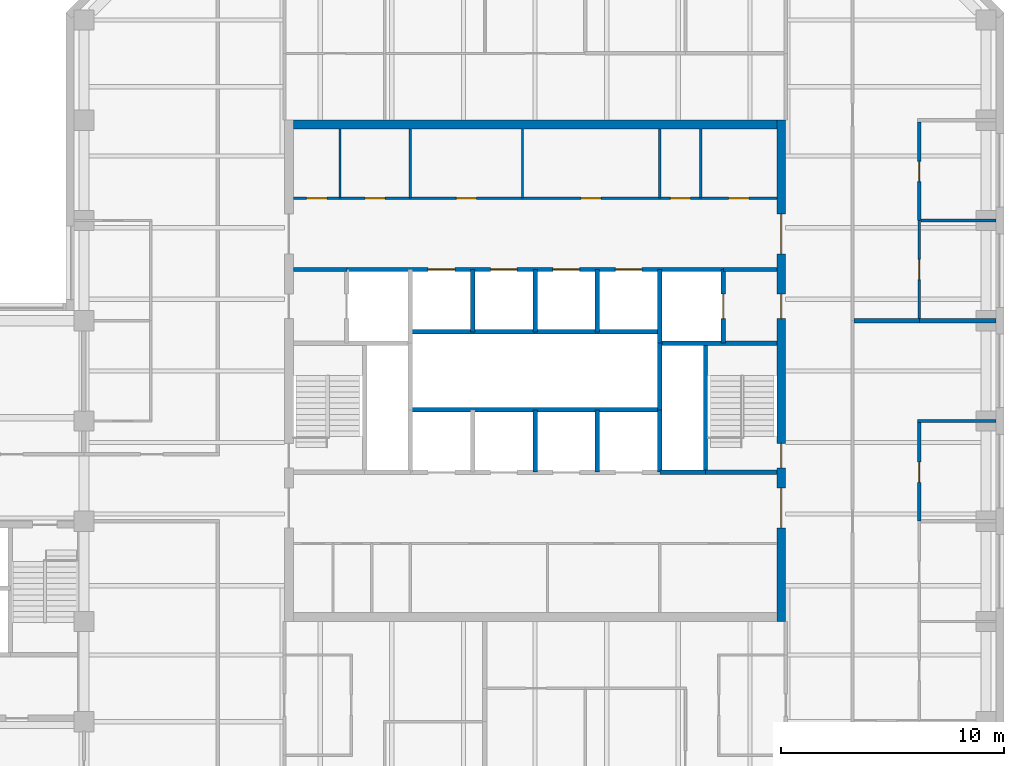
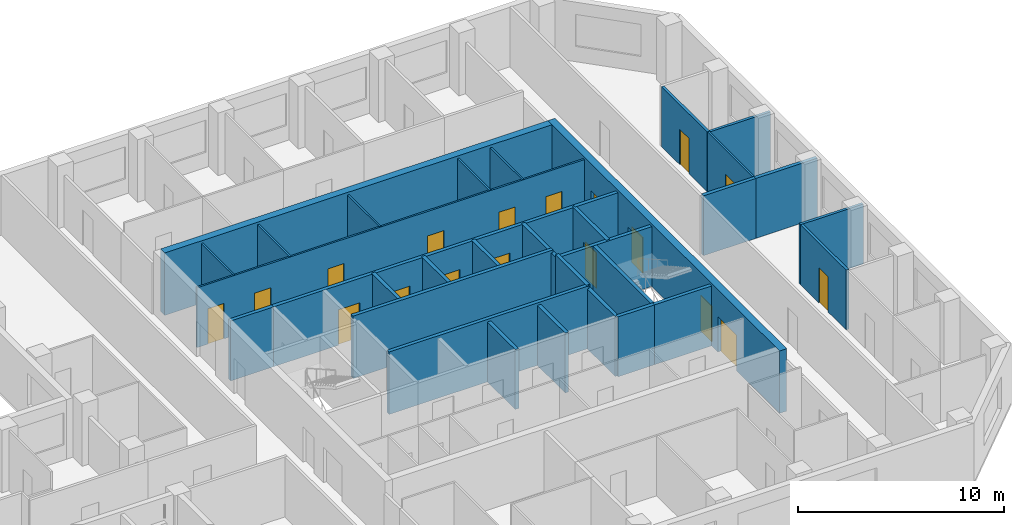
# One storey, part 6 of 9: 33 walls, 18 doors, 18 openings.
"""IFC4 building model written with IfcOpenShell, lengths in metres."""

from ifc_helpers import new_model, si_unit, direction, frame, frame_2d, origin, place, context, subcontext, project, spatial, rectangle, extrude, material, layer, layer_set, type_object, element, fill, save


model = new_model("IFC4")

# Units and contexts
model_context = context("Model", 3, precision=1e-05, world=origin(), true_north=direction((0.0, 1.0)))
body_context = subcontext(model_context, "Body", "Model", "MODEL_VIEW")
ifc_project = project(units=[si_unit("LENGTHUNIT", "METRE"), si_unit("AREAUNIT", "SQUARE_METRE"), si_unit("VOLUMEUNIT", "CUBIC_METRE"), si_unit("PLANEANGLEUNIT", "RADIAN"), si_unit("MASSUNIT", "GRAM", prefix="KILO")], contexts=[model_context])

# Site, building, storey
site_placement = place(None, origin())
site = spatial("IfcSite", under=ifc_project, at=site_placement, CompositionType="ELEMENT")
building_placement = place(site_placement, origin())
building = spatial("IfcBuilding", under=site, at=building_placement, Name="Quoin Convention Tower", CompositionType="ELEMENT")
storey_placement = place(building_placement, frame((0.0, 0.0, 241.5)))
storey = spatial("IfcBuildingStorey", under=building, at=storey_placement, Name="L63", CompositionType="ELEMENT", Elevation=241.5)

# Walls
ifc_material_1 = material(Name="Plasterboard")
ifc_layer_1 = layer(ifc_material_1, 0.012451171875, Name="Finish")
ifc_material_2 = material(Name="Steel stud framing", Category="steel")
ifc_layer_2 = layer(ifc_material_2, 0.125, Name="Structure")
ifc_layer_3 = layer(ifc_material_1, 0.012451171875, Name="Finish")
ifc_layer_set_1 = layer_set([ifc_layer_1, ifc_layer_2, ifc_layer_3], Name="Steel stud framing")
wall_type_1 = type_object("IfcWallType", Name="Acoustic partition 150", PredefinedType="PARTITIONING", material=ifc_layer_set_1)
wall_1_placement = place(storey_placement, frame((73.425048828125, 58.5, 0.0), z_axis=(0.0, 0.0, 1.0), x_axis=(1.0, 0.0, 0.0)))
element("IfcWall", 1, at=wall_1_placement, inside=storey, type_object=wall_type_1, Name="pw-L63-021", PredefinedType="PARTITIONING", context=body_context, shape_type="SweptSolid", body=[
    extrude(rectangle(XDim=3.52490234375, YDim=0.14990234375, at=frame_2d((1.762451171875, 0.0))), origin(), (0.0, 0.0, 1.0), 3.550048828125),
])
wall_2_placement = place(storey_placement, frame((73.574951171875, 67.5, 0.0), z_axis=(0.0, 0.0, 1.0), x_axis=(1.0, 0.0, 0.0)))
element("IfcWall", 2, at=wall_2_placement, inside=storey, type_object=wall_type_1, Name="pw-L63-027", PredefinedType="PARTITIONING", context=body_context, shape_type="SweptSolid", body=[
    extrude(rectangle(XDim=3.375, YDim=0.14990234375, at=frame_2d((1.6875, 0.0))), origin(), (0.0, 0.0, 1.0), 3.550048828125),
])

# Wall, opening, door
wall_3_placement = place(storey_placement, frame((73.5, 54.0, 0.0), z_axis=(0.0, 0.0, 1.0), x_axis=(0.0, 1.0, 0.0)))
wall_3 = element("IfcWall", 3, at=wall_3_placement, inside=storey, type_object=wall_type_1, Name="pw-L63-060", PredefinedType="PARTITIONING", context=body_context, shape_type="SweptSolid", body=[
    extrude(rectangle(XDim=4.425048828125, YDim=0.14990234375, at=frame_2d((2.21240234375, 0.0))), origin(), (0.0, 0.0, 1.0), 3.550048828125),
])
opening_1_placement = place(wall_3_placement, frame((1.75, 0.0, 0.0)))
opening_1 = element("IfcOpeningElement", 4, at=opening_1_placement, cuts=wall_3, Name="Opening DOH11-19", PredefinedType="OPENING", context=body_context, shape_type="SweptSolid", body=[
    extrude(rectangle(XDim=0.89990234375, YDim=2.10009765625, at=frame_2d((0.449951171875, 1.050048828125))), frame((0.0, 0.0849609375, 0.0), z_axis=(0.0, -1.0, 0.0), x_axis=(1.0, 0.0, 0.0)), (0.0, 0.0, 1.0), 0.169921875),
])
ifc_material_3 = material(Name="Steel door leaf", Category="steel")
door_type_1 = type_object("IfcDoorType", Name="Office door 900 x 2100", OperationType="SINGLE_SWING_RIGHT", PredefinedType="DOOR", material=ifc_material_3)
door_1_placement = place(opening_1_placement, origin())
door_1 = element("IfcDoor", 5, at=door_1_placement, inside=storey, type_object=door_type_1, Name="dr-L63-28", OperationType="SINGLE_SWING_RIGHT", OverallHeight=2.10009765625, OverallWidth=0.89990234375, PredefinedType="DOOR", context=body_context, shape_type="SweptSolid", body=[
    extrude(rectangle(XDim=0.89990234375, YDim=2.10009765625, at=frame_2d((0.449951171875, 1.050048828125))), frame((0.0, 0.02490234375, 0.0), z_axis=(0.0, -1.0, 0.0), x_axis=(1.0, 0.0, 0.0)), (0.0, 0.0, 1.0), 0.050048828125),
])
fill(opening_1, door_1)

wall_4_placement = place(storey_placement, frame((73.5, 67.5, 0.0), z_axis=(0.0, 0.0, 1.0), x_axis=(0.0, 1.0, 0.0)))
wall_4 = element("IfcWall", 6, at=wall_4_placement, inside=storey, type_object=wall_type_1, Name="pw-L63-070", PredefinedType="PARTITIONING", context=body_context, shape_type="SweptSolid", body=[
    extrude(rectangle(XDim=4.425048828125, YDim=0.14990234375, at=frame_2d((2.21240234375, 0.0))), origin(), (0.0, 0.0, 1.0), 3.550048828125),
])
opening_2_placement = place(wall_4_placement, frame((1.75, 0.0, 0.0)))
opening_2 = element("IfcOpeningElement", 7, at=opening_2_placement, cuts=wall_4, Name="Opening DOH11-22", PredefinedType="OPENING", context=body_context, shape_type="SweptSolid", body=[
    extrude(rectangle(XDim=0.89990234375, YDim=2.10009765625, at=frame_2d((0.449951171875, 1.050048828125))), frame((0.0, 0.0849609375, 0.0), z_axis=(0.0, -1.0, 0.0), x_axis=(1.0, 0.0, 0.0)), (0.0, 0.0, 1.0), 0.169921875),
])
door_2_placement = place(opening_2_placement, origin())
door_2 = element("IfcDoor", 8, at=door_2_placement, inside=storey, type_object=door_type_1, Name="dr-L63-31", OperationType="SINGLE_SWING_RIGHT", OverallHeight=2.10009765625, OverallWidth=0.89990234375, PredefinedType="DOOR", context=body_context, shape_type="SweptSolid", body=[
    extrude(rectangle(XDim=0.89990234375, YDim=2.10009765625, at=frame_2d((0.449951171875, 1.050048828125))), frame((0.0, 0.02490234375, 0.0), z_axis=(0.0, -1.0, 0.0), x_axis=(1.0, 0.0, 0.0)), (0.0, 0.0, 1.0), 0.050048828125),
])
fill(opening_2, door_2)

# Wall, openings, doors
ifc_layer_4 = layer(ifc_material_1, 0.012451171875, Name="Finish")
ifc_layer_5 = layer(ifc_material_2, 0.074951171875, Name="Structure")
ifc_layer_6 = layer(ifc_material_1, 0.012451171875, Name="Finish")
ifc_layer_set_2 = layer_set([ifc_layer_4, ifc_layer_5, ifc_layer_6], Name="Steel stud framing")
wall_type_2 = type_object("IfcWallType", Name="Core partition wall", PredefinedType="PARTITIONING", material=ifc_layer_set_2)
wall_5_placement = place(storey_placement, frame((45.39990234375, 68.5, 0.0), z_axis=(0.0, 0.0, 1.0), x_axis=(1.0, 0.0, 0.0)))
wall_5 = element("IfcWall", 9, at=wall_5_placement, inside=storey, type_object=wall_type_2, Name="cr-C1-L63-h19000_400", PredefinedType="PARTITIONING", context=body_context, shape_type="SweptSolid", body=[
    extrude(rectangle(XDim=21.7001953125, YDim=0.10009765625, at=frame_2d((10.85009765625, 0.0))), origin(), (0.0, 0.0, 1.0), 3.550048828125),
])
opening_3_placement = place(wall_5_placement, frame((19.543701171875, 0.0, 0.0)))
opening_3 = element("IfcOpeningElement", 10, at=opening_3_placement, cuts=wall_5, Name="Opening DCV3-14", PredefinedType="OPENING", context=body_context, shape_type="SweptSolid", body=[
    extrude(rectangle(XDim=0.89990234375, YDim=2.10009765625, at=frame_2d((0.449951171875, 1.050048828125))), frame((0.0, 0.06005859375, 0.0), z_axis=(0.0, -1.0, 0.0), x_axis=(1.0, 0.0, 0.0)), (0.0, 0.0, 1.0), 0.1201171875),
])
opening_4_placement = place(wall_5_placement, frame((16.918701171875, 0.0, 0.0)))
opening_4 = element("IfcOpeningElement", 11, at=opening_4_placement, cuts=wall_5, Name="Opening DCV3-13", PredefinedType="OPENING", context=body_context, shape_type="SweptSolid", body=[
    extrude(rectangle(XDim=0.89990234375, YDim=2.10009765625, at=frame_2d((0.449951171875, 1.050048828125))), frame((0.0, 0.06005859375, 0.0), z_axis=(0.0, -1.0, 0.0), x_axis=(1.0, 0.0, 0.0)), (0.0, 0.0, 1.0), 0.1201171875),
])
opening_5_placement = place(wall_5_placement, frame((0.60009765625, 0.0, 0.0)))
opening_5 = element("IfcOpeningElement", 12, at=opening_5_placement, cuts=wall_5, Name="Opening DCV3-05", PredefinedType="OPENING", context=body_context, shape_type="SweptSolid", body=[
    extrude(rectangle(XDim=0.89990234375, YDim=2.10009765625, at=frame_2d((0.449951171875, 1.050048828125))), frame((0.0, 0.06005859375, 0.0), z_axis=(0.0, -1.0, 0.0), x_axis=(1.0, 0.0, 0.0)), (0.0, 0.0, 1.0), 0.1201171875),
])
opening_6_placement = place(wall_5_placement, frame((3.22509765625, 0.0, 0.0)))
opening_6 = element("IfcOpeningElement", 13, at=opening_6_placement, cuts=wall_5, Name="Opening DCV3-06", PredefinedType="OPENING", context=body_context, shape_type="SweptSolid", body=[
    extrude(rectangle(XDim=0.89990234375, YDim=2.10009765625, at=frame_2d((0.449951171875, 1.050048828125))), frame((0.0, 0.06005859375, 0.0), z_axis=(0.0, -1.0, 0.0), x_axis=(1.0, 0.0, 0.0)), (0.0, 0.0, 1.0), 0.1201171875),
])
opening_7_placement = place(wall_5_placement, frame((12.919921875, 0.0, 0.0)))
opening_7 = element("IfcOpeningElement", 14, at=opening_7_placement, cuts=wall_5, Name="Opening DCV3-11", PredefinedType="OPENING", context=body_context, shape_type="SweptSolid", body=[
    extrude(rectangle(XDim=0.89990234375, YDim=2.10009765625, at=frame_2d((0.449951171875, 1.050048828125))), frame((0.0, 0.06005859375, 0.0), z_axis=(0.0, -1.0, 0.0), x_axis=(1.0, 0.0, 0.0)), (0.0, 0.0, 1.0), 0.1201171875),
])
opening_8_placement = place(wall_5_placement, frame((7.320068359375, 0.0, 0.0)))
opening_8 = element("IfcOpeningElement", 15, at=opening_8_placement, cuts=wall_5, Name="Opening DCV3-08", PredefinedType="OPENING", context=body_context, shape_type="SweptSolid", body=[
    extrude(rectangle(XDim=0.89990234375, YDim=2.10009765625, at=frame_2d((0.449951171875, 1.050048828125))), frame((0.0, 0.06005859375, 0.0), z_axis=(0.0, -1.0, 0.0), x_axis=(1.0, 0.0, 0.0)), (0.0, 0.0, 1.0), 0.1201171875),
])
door_type_2 = type_object("IfcDoorType", Name="Core room door 900 x 2100", OperationType="SINGLE_SWING_LEFT", PredefinedType="DOOR", material=ifc_material_3)
door_3_placement = place(opening_3_placement, origin())
door_3 = element("IfcDoor", 16, at=door_3_placement, inside=storey, type_object=door_type_2, Name="cd-C1-L63-CNE0-lobB-CD6307", OperationType="SINGLE_SWING_LEFT", OverallHeight=2.10009765625, OverallWidth=0.89990234375, PredefinedType="DOOR", context=body_context, shape_type="SweptSolid", body=[
    extrude(rectangle(XDim=0.89990234375, YDim=2.10009765625, at=frame_2d((0.449951171875, 1.050048828125))), frame((0.0, 0.02490234375, 0.0), z_axis=(0.0, -1.0, 0.0), x_axis=(1.0, 0.0, 0.0)), (0.0, 0.0, 1.0), 0.050048828125),
])
fill(opening_3, door_3)
door_4_placement = place(opening_4_placement, origin())
door_4 = element("IfcDoor", 17, at=door_4_placement, inside=storey, type_object=door_type_2, Name="cd-C1-L63-CNE1-lobB-CD6308", OperationType="SINGLE_SWING_RIGHT", OverallHeight=2.10009765625, OverallWidth=0.89990234375, PredefinedType="DOOR", context=body_context, shape_type="SweptSolid", body=[
    extrude(rectangle(XDim=0.89990234375, YDim=2.10009765625, at=frame_2d((0.449951171875, 1.050048828125))), frame((0.0, 0.02490234375, 0.0), z_axis=(0.0, -1.0, 0.0), x_axis=(1.0, 0.0, 0.0)), (0.0, 0.0, 1.0), 0.050048828125),
])
fill(opening_4, door_4)
door_5_placement = place(opening_5_placement, origin())
door_5 = element("IfcDoor", 18, at=door_5_placement, inside=storey, type_object=door_type_2, Name="cd-C1-L63-CNW0-lobB-CD6309", OperationType="SINGLE_SWING_RIGHT", OverallHeight=2.10009765625, OverallWidth=0.89990234375, PredefinedType="DOOR", context=body_context, shape_type="SweptSolid", body=[
    extrude(rectangle(XDim=0.89990234375, YDim=2.10009765625, at=frame_2d((0.449951171875, 1.050048828125))), frame((0.0, 0.02490234375, 0.0), z_axis=(0.0, -1.0, 0.0), x_axis=(1.0, 0.0, 0.0)), (0.0, 0.0, 1.0), 0.050048828125),
])
fill(opening_5, door_5)
door_6_placement = place(opening_6_placement, origin())
door_6 = element("IfcDoor", 19, at=door_6_placement, inside=storey, type_object=door_type_2, Name="cd-C1-L63-CNW1-lobB-CD6310", OperationType="SINGLE_SWING_RIGHT", OverallHeight=2.10009765625, OverallWidth=0.89990234375, PredefinedType="DOOR", context=body_context, shape_type="SweptSolid", body=[
    extrude(rectangle(XDim=0.89990234375, YDim=2.10009765625, at=frame_2d((0.449951171875, 1.050048828125))), frame((0.0, 0.02490234375, 0.0), z_axis=(0.0, -1.0, 0.0), x_axis=(1.0, 0.0, 0.0)), (0.0, 0.0, 1.0), 0.050048828125),
])
fill(opening_6, door_6)
door_7_placement = place(opening_7_placement, origin())
door_7 = element("IfcDoor", 20, at=door_7_placement, inside=storey, type_object=door_type_2, Name="cd-C1-L63-F40-lobB-CD6317", OperationType="SINGLE_SWING_RIGHT", OverallHeight=2.10009765625, OverallWidth=0.89990234375, PredefinedType="DOOR", context=body_context, shape_type="SweptSolid", body=[
    extrude(rectangle(XDim=0.89990234375, YDim=2.10009765625, at=frame_2d((0.449951171875, 1.050048828125))), frame((0.0, 0.02490234375, 0.0), z_axis=(0.0, -1.0, 0.0), x_axis=(1.0, 0.0, 0.0)), (0.0, 0.0, 1.0), 0.050048828125),
])
fill(opening_7, door_7)
door_8_placement = place(opening_8_placement, origin())
door_8 = element("IfcDoor", 21, at=door_8_placement, inside=storey, type_object=door_type_2, Name="cd-C1-L63-F41-lobB-CD6318", OperationType="SINGLE_SWING_RIGHT", OverallHeight=2.10009765625, OverallWidth=0.89990234375, PredefinedType="DOOR", context=body_context, shape_type="SweptSolid", body=[
    extrude(rectangle(XDim=0.89990234375, YDim=2.10009765625, at=frame_2d((0.449951171875, 1.050048828125))), frame((0.0, 0.02490234375, 0.0), z_axis=(0.0, -1.0, 0.0), x_axis=(1.0, 0.0, 0.0)), (0.0, 0.0, 1.0), 0.050048828125),
])
fill(opening_8, door_8)

# Walls
for number, where, z_axis, x_axis, name in (
    (22, (47.5, 68.5, 0.0), (0.0, 0.0, 1.0), (0.0, 1.0, 0.0), "cr-C1-L63-v2500_19000"),
    (23, (50.64990234375, 68.5, 0.0), (0.0, 0.0, 1.0), (0.0, 1.0, 0.0), "cr-C1-L63-v5650_19000"),
    (24, (55.68994140625, 68.5, 0.0), (0.0, 0.0, 1.0), (0.0, 1.0, 0.0), "cr-C1-L63-v10690_19000"),
    (25, (61.85009765625, 68.5, 0.0), (0.0, 0.0, 1.0), (0.0, 1.0, 0.0), "cr-C1-L63-v16850_19000"),
    (26, (63.6875, 68.5, 0.0), (0.0, 0.0, 1.0), (0.0, 1.0, 0.0), "cr-C1-L63-v18688_19000"),
):
    element("IfcWall", number, at=place(storey_placement, frame(where, z_axis=z_axis, x_axis=x_axis)), inside=storey, type_object=wall_type_2, Name=name, PredefinedType="PARTITIONING", context=body_context, shape_type="SweptSolid", body=[
        extrude(rectangle(XDim=3.10009765625, YDim=0.10009765625, at=frame_2d((1.550048828125, 0.0))), origin(), (0.0, 0.0, 1.0), 3.550048828125),
    ])
ifc_material_4 = material(Name="Concrete C50", Category="concrete")
ifc_layer_7 = layer(ifc_material_4, 0.199951171875)
ifc_layer_set_3 = layer_set([ifc_layer_7], Name="Concrete C50")
wall_type_3 = type_object("IfcWallType", Name="Core shaft wall", PredefinedType="SOLIDWALL", material=ifc_layer_set_3)
wall_6_placement = place(storey_placement, frame((61.85009765625, 56.199951171875, 0.0), z_axis=(0.0, 0.0, 1.0), x_axis=(1.0, 0.0, 0.0)))
element("IfcWall", 27, at=wall_6_placement, inside=storey, type_object=wall_type_3, Name="cr-C1-L63-h6700_16850", PredefinedType="SOLIDWALL", context=body_context, shape_type="SweptSolid", body=[
    extrude(rectangle(XDim=2.0498046875, YDim=0.199951171875, at=frame_2d((1.02490234375, 0.0))), origin(), (0.0, 0.0, 1.0), 3.550048828125),
])
wall_7_placement = place(storey_placement, frame((63.89990234375, 56.199951171875, 0.0), z_axis=(0.0, 0.0, 1.0), x_axis=(1.0, 0.0, 0.0)))
element("IfcWall", 28, at=wall_7_placement, inside=storey, type_object=wall_type_3, Name="cr-C1-L63-h6700_18900", PredefinedType="SOLIDWALL", context=body_context, shape_type="SweptSolid", body=[
    extrude(rectangle(XDim=3.2001953125, YDim=0.199951171875, at=frame_2d((1.60009765625, 0.0))), origin(), (0.0, 0.0, 1.0), 3.550048828125),
])
wall_8_placement = place(storey_placement, frame((61.85009765625, 62.0, 0.0), z_axis=(0.0, 0.0, 1.0), x_axis=(1.0, 0.0, 0.0)))
element("IfcWall", 29, at=wall_8_placement, inside=storey, type_object=wall_type_3, Name="cr-C1-L63-h12500_16850", PredefinedType="SOLIDWALL", context=body_context, shape_type="SweptSolid", body=[
    extrude(rectangle(XDim=5.25, YDim=0.199951171875, at=frame_2d((2.625, 0.0))), origin(), (0.0, 0.0, 1.0), 3.550048828125),
])
for number, where, z_axis, x_axis, name in (
    (30, (45.39990234375, 65.300048828125, 0.0), (0.0, 0.0, 1.0), (1.0, 0.0, 0.0), "cr-C1-L63-h15800_400"),
    (31, (64.699951171875, 65.300048828125, 0.0), (0.0, 0.0, 1.0), (1.0, 0.0, 0.0), "cr-C1-L63-h15800_19700"),
):
    element("IfcWall", number, at=place(storey_placement, frame(where, z_axis=z_axis, x_axis=x_axis)), inside=storey, type_object=wall_type_3, Name=name, PredefinedType="SOLIDWALL", context=body_context, shape_type="SweptSolid", body=[
        extrude(rectangle(XDim=2.400146484375, YDim=0.199951171875, at=frame_2d((1.2001953125, 0.0))), origin(), (0.0, 0.0, 1.0), 3.550048828125),
    ])

# Wall, openings, doors
wall_9_placement = place(storey_placement, frame((47.800048828125, 65.300048828125, 0.0), z_axis=(0.0, 0.0, 1.0), x_axis=(1.0, 0.0, 0.0)))
wall_9 = element("IfcWall", 32, at=wall_9_placement, inside=storey, type_object=wall_type_3, Name="cr-C1-L63-h15800_2800", PredefinedType="SOLIDWALL", context=body_context, shape_type="SweptSolid", body=[
    extrude(rectangle(XDim=16.89990234375, YDim=0.199951171875, at=frame_2d((8.449951171875, 0.0))), origin(), (0.0, 0.0, 1.0), 3.550048828125),
])
opening_9_placement = place(wall_9_placement, frame((3.64990234375, 0.0, 0.0)))
opening_9 = element("IfcOpeningElement", 33, at=opening_9_placement, cuts=wall_9, Name="Opening LDH5", PredefinedType="OPENING", context=body_context, shape_type="SweptSolid", body=[
    extrude(rectangle(XDim=1.199951171875, YDim=2.10009765625, at=frame_2d((0.60009765625, 1.050048828125))), frame((0.0, 0.10986328125, 0.0), z_axis=(0.0, -1.0, 0.0), x_axis=(1.0, 0.0, 0.0)), (0.0, 0.0, 1.0), 0.219970703125),
])
opening_10_placement = place(wall_9_placement, frame((6.449951171875, 0.0, 0.0)))
opening_10 = element("IfcOpeningElement", 34, at=opening_10_placement, cuts=wall_9, Name="Opening LDH6", PredefinedType="OPENING", context=body_context, shape_type="SweptSolid", body=[
    extrude(rectangle(XDim=1.199951171875, YDim=2.10009765625, at=frame_2d((0.60009765625, 1.050048828125))), frame((0.0, 0.10986328125, 0.0), z_axis=(0.0, -1.0, 0.0), x_axis=(1.0, 0.0, 0.0)), (0.0, 0.0, 1.0), 0.219970703125),
])
opening_11_placement = place(wall_9_placement, frame((9.25, 0.0, 0.0)))
opening_11 = element("IfcOpeningElement", 35, at=opening_11_placement, cuts=wall_9, Name="Opening LDH7", PredefinedType="OPENING", context=body_context, shape_type="SweptSolid", body=[
    extrude(rectangle(XDim=1.199951171875, YDim=2.10009765625, at=frame_2d((0.60009765625, 1.050048828125))), frame((0.0, 0.10986328125, 0.0), z_axis=(0.0, -1.0, 0.0), x_axis=(1.0, 0.0, 0.0)), (0.0, 0.0, 1.0), 0.219970703125),
])
opening_12_placement = place(wall_9_placement, frame((12.050048828125, 0.0, 0.0)))
opening_12 = element("IfcOpeningElement", 36, at=opening_12_placement, cuts=wall_9, Name="Opening LDH8", PredefinedType="OPENING", context=body_context, shape_type="SweptSolid", body=[
    extrude(rectangle(XDim=1.199951171875, YDim=2.10009765625, at=frame_2d((0.60009765625, 1.050048828125))), frame((0.0, 0.10986328125, 0.0), z_axis=(0.0, -1.0, 0.0), x_axis=(1.0, 0.0, 0.0)), (0.0, 0.0, 1.0), 0.219970703125),
])
door_type_3 = type_object("IfcDoorType", Name="Lift landing door 1200 x 2100", OperationType="DOUBLE_DOOR_SLIDING", PredefinedType="DOOR", material=ifc_material_3)
door_9_placement = place(opening_9_placement, origin())
door_9 = element("IfcDoor", 37, at=door_9_placement, inside=storey, type_object=door_type_3, Name="cd-C1-L63-R30-lobB-LDH5", OperationType="DOUBLE_DOOR_SLIDING", OverallHeight=2.10009765625, OverallWidth=1.199951171875, PredefinedType="DOOR", context=body_context, shape_type="SweptSolid", body=[
    extrude(rectangle(XDim=1.199951171875, YDim=2.10009765625, at=frame_2d((0.60009765625, 1.050048828125))), frame((0.0, 0.02490234375, 0.0), z_axis=(0.0, -1.0, 0.0), x_axis=(1.0, 0.0, 0.0)), (0.0, 0.0, 1.0), 0.050048828125),
])
fill(opening_9, door_9)
door_10_placement = place(opening_10_placement, origin())
door_10 = element("IfcDoor", 38, at=door_10_placement, inside=storey, type_object=door_type_3, Name="cd-C1-L63-R31-lobB-LDH6", OperationType="DOUBLE_DOOR_SLIDING", OverallHeight=2.10009765625, OverallWidth=1.199951171875, PredefinedType="DOOR", context=body_context, shape_type="SweptSolid", body=[
    extrude(rectangle(XDim=1.199951171875, YDim=2.10009765625, at=frame_2d((0.60009765625, 1.050048828125))), frame((0.0, 0.02490234375, 0.0), z_axis=(0.0, -1.0, 0.0), x_axis=(1.0, 0.0, 0.0)), (0.0, 0.0, 1.0), 0.050048828125),
])
fill(opening_10, door_10)
door_11_placement = place(opening_11_placement, origin())
door_11 = element("IfcDoor", 39, at=door_11_placement, inside=storey, type_object=door_type_3, Name="cd-C1-L63-R32-lobB-LDH7", OperationType="DOUBLE_DOOR_SLIDING", OverallHeight=2.10009765625, OverallWidth=1.199951171875, PredefinedType="DOOR", context=body_context, shape_type="SweptSolid", body=[
    extrude(rectangle(XDim=1.199951171875, YDim=2.10009765625, at=frame_2d((0.60009765625, 1.050048828125))), frame((0.0, 0.02490234375, 0.0), z_axis=(0.0, -1.0, 0.0), x_axis=(1.0, 0.0, 0.0)), (0.0, 0.0, 1.0), 0.050048828125),
])
fill(opening_11, door_11)
door_12_placement = place(opening_12_placement, origin())
door_12 = element("IfcDoor", 40, at=door_12_placement, inside=storey, type_object=door_type_3, Name="cd-C1-L63-R33-lobB-LDH8", OperationType="DOUBLE_DOOR_SLIDING", OverallHeight=2.10009765625, OverallWidth=1.199951171875, PredefinedType="DOOR", context=body_context, shape_type="SweptSolid", body=[
    extrude(rectangle(XDim=1.199951171875, YDim=2.10009765625, at=frame_2d((0.60009765625, 1.050048828125))), frame((0.0, 0.02490234375, 0.0), z_axis=(0.0, -1.0, 0.0), x_axis=(1.0, 0.0, 0.0)), (0.0, 0.0, 1.0), 0.050048828125),
])
fill(opening_12, door_12)

# Walls
for number, where, z_axis, x_axis, name in (
    (41, (53.449951171875, 62.5, 0.0), (0.0, 0.0, 1.0), (0.0, 1.0, 0.0), "cr-C1-L63-v8450_13000"),
    (42, (56.25, 56.199951171875, 0.0), (0.0, 0.0, 1.0), (0.0, 1.0, 0.0), "cr-C1-L63-v11250_6700"),
    (43, (56.25, 62.5, 0.0), (0.0, 0.0, 1.0), (0.0, 1.0, 0.0), "cr-C1-L63-v11250_13000"),
    (44, (59.050048828125, 56.199951171875, 0.0), (0.0, 0.0, 1.0), (0.0, 1.0, 0.0), "cr-C1-L63-v14050_6700"),
    (45, (59.050048828125, 62.5, 0.0), (0.0, 0.0, 1.0), (0.0, 1.0, 0.0), "cr-C1-L63-v14050_13000"),
    (46, (61.85009765625, 56.199951171875, 0.0), (0.0, 0.0, 1.0), (0.0, 1.0, 0.0), "cr-C1-L63-v16850_6700"),
):
    element("IfcWall", number, at=place(storey_placement, frame(where, z_axis=z_axis, x_axis=x_axis)), inside=storey, type_object=wall_type_3, Name=name, PredefinedType="SOLIDWALL", context=body_context, shape_type="SweptSolid", body=[
        extrude(rectangle(XDim=2.800048828125, YDim=0.199951171875, at=frame_2d((1.39990234375, 0.0))), origin(), (0.0, 0.0, 1.0), 3.550048828125),
    ])
wall_10_placement = place(storey_placement, frame((61.85009765625, 62.0, 0.0), z_axis=(0.0, 0.0, 1.0), x_axis=(0.0, 1.0, 0.0)))
element("IfcWall", 47, at=wall_10_placement, inside=storey, type_object=wall_type_3, Name="cr-C1-L63-v16850_12500", PredefinedType="SOLIDWALL", context=body_context, shape_type="SweptSolid", body=[
    extrude(rectangle(XDim=3.300048828125, YDim=0.199951171875, at=frame_2d((1.64990234375, 0.0))), origin(), (0.0, 0.0, 1.0), 3.550048828125),
])
wall_11_placement = place(storey_placement, frame((63.89990234375, 56.199951171875, 0.0), z_axis=(0.0, 0.0, 1.0), x_axis=(0.0, 1.0, 0.0)))
element("IfcWall", 48, at=wall_11_placement, inside=storey, type_object=wall_type_3, Name="cr-C1-L63-v18900_6700", PredefinedType="SOLIDWALL", context=body_context, shape_type="SweptSolid", body=[
    extrude(rectangle(XDim=5.800048828125, YDim=0.199951171875, at=frame_2d((2.89990234375, 0.0))), origin(), (0.0, 0.0, 1.0), 3.550048828125),
])

# Wall, opening, door
wall_12_placement = place(storey_placement, frame((64.699951171875, 62.0, 0.0), z_axis=(0.0, 0.0, 1.0), x_axis=(0.0, 1.0, 0.0)))
wall_12 = element("IfcWall", 49, at=wall_12_placement, inside=storey, type_object=wall_type_3, Name="cr-C1-L63-v19700_12500", PredefinedType="SOLIDWALL", context=body_context, shape_type="SweptSolid", body=[
    extrude(rectangle(XDim=3.300048828125, YDim=0.199951171875, at=frame_2d((1.64990234375, 0.0))), origin(), (0.0, 0.0, 1.0), 3.550048828125),
])
opening_13_placement = place(wall_12_placement, frame((1.10009765625, 0.0, 0.0)))
opening_13 = element("IfcOpeningElement", 50, at=opening_13_placement, cuts=wall_12, Name="Opening LDFL2", PredefinedType="OPENING", context=body_context, shape_type="SweptSolid", body=[
    extrude(rectangle(XDim=1.10009765625, YDim=2.10009765625, at=frame_2d((0.550048828125, 1.050048828125))), frame((0.0, 0.10986328125, 0.0), z_axis=(0.0, -1.0, 0.0), x_axis=(1.0, 0.0, 0.0)), (0.0, 0.0, 1.0), 0.219970703125),
])
door_type_4 = type_object("IfcDoorType", Name="Lift landing door 1100 x 2100", OperationType="DOUBLE_DOOR_SLIDING", PredefinedType="DOOR", material=ifc_material_3)
door_13_placement = place(opening_13_placement, origin())
door_13 = element("IfcDoor", 51, at=door_13_placement, inside=storey, type_object=door_type_4, Name="cd-C1-L63-FLE-FFE-LDFL2", OperationType="DOUBLE_DOOR_SLIDING", OverallHeight=2.10009765625, OverallWidth=1.10009765625, PredefinedType="DOOR", context=body_context, shape_type="SweptSolid", body=[
    extrude(rectangle(XDim=1.10009765625, YDim=2.10009765625, at=frame_2d((0.550048828125, 1.050048828125))), frame((0.0, 0.02490234375, 0.0), z_axis=(0.0, -1.0, 0.0), x_axis=(1.0, 0.0, 0.0)), (0.0, 0.0, 1.0), 0.050048828125),
])
fill(opening_13, door_13)

# Walls
ifc_layer_8 = layer(ifc_material_4, 0.199951171875)
ifc_layer_set_4 = layer_set([ifc_layer_8], Name="Concrete C50")
wall_type_4 = type_object("IfcWallType", Name="Core shaft wall to the floor level over", PredefinedType="SOLIDWALL", material=ifc_layer_set_4)
for number, where, z_axis, x_axis, name in (
    (52, (50.64990234375, 59.0, 0.0), (0.0, 0.0, 1.0), (1.0, 0.0, 0.0), "cr-C1-L63-h9500_5650"),
    (53, (50.64990234375, 62.5, 0.0), (0.0, 0.0, 1.0), (1.0, 0.0, 0.0), "cr-C1-L63-h13000_5650"),
):
    element("IfcWall", number, at=place(storey_placement, frame(where, z_axis=z_axis, x_axis=x_axis)), inside=storey, type_object=wall_type_4, Name=name, PredefinedType="SOLIDWALL", context=body_context, shape_type="SweptSolid", body=[
        extrude(rectangle(XDim=11.2001953125, YDim=0.199951171875, at=frame_2d((5.60009765625, 0.0))), origin(), (0.0, 0.0, 1.0), 3.699951171875),
    ])
wall_13_placement = place(storey_placement, frame((61.85009765625, 59.0, 0.0), z_axis=(0.0, 0.0, 1.0), x_axis=(0.0, 1.0, 0.0)))
element("IfcWall", 54, at=wall_13_placement, inside=storey, type_object=wall_type_4, Name="cr-C1-L63-v16850_9500", PredefinedType="SOLIDWALL", context=body_context, shape_type="SweptSolid", body=[
    extrude(rectangle(XDim=3.0, YDim=0.199951171875, at=frame_2d((1.5, 0.0))), origin(), (0.0, 0.0, 1.0), 3.699951171875),
])
ifc_layer_9 = layer(ifc_material_4, 0.39990234375)
ifc_layer_set_5 = layer_set([ifc_layer_9], Name="Concrete C50")
wall_type_5 = type_object("IfcWallType", Name="RC CORE WALL 400 C50", PredefinedType="SHEAR", material=ifc_layer_set_5)
wall_14_placement = place(storey_placement, frame((45.39990234375, 71.800048828125, 0.0), z_axis=(0.0, 0.0, 1.0), x_axis=(1.0, 0.0, 0.0)))
element("IfcWall", 55, at=wall_14_placement, inside=storey, type_object=wall_type_5, Name="cwl-C1-L63-N", PredefinedType="SHEAR", context=body_context, shape_type="SweptSolid", body=[
    extrude(rectangle(XDim=21.7001953125, YDim=0.39990234375, at=frame_2d((10.85009765625, 0.0))), origin(), (0.0, 0.0, 1.0), 3.699951171875),
])

# Wall, openings, doors
wall_15_placement = place(storey_placement, frame((67.300048828125, 49.5, 0.0), z_axis=(0.0, 0.0, 1.0), x_axis=(0.0, 1.0, 0.0)))
wall_15 = element("IfcWall", 56, at=wall_15_placement, inside=storey, type_object=wall_type_5, Name="cwl-C1-L63-E", PredefinedType="SHEAR", context=body_context, shape_type="SweptSolid", body=[
    extrude(rectangle(XDim=22.5, YDim=0.39990234375, at=frame_2d((11.25, 0.0))), origin(), (0.0, 0.0, 1.0), 3.699951171875),
])
opening_14_placement = place(wall_15_placement, frame((4.199951171875, 0.0, 0.0)))
opening_14 = element("IfcOpeningElement", 57, at=opening_14_placement, cuts=wall_15, Name="Opening DCV3-38", PredefinedType="OPENING", context=body_context, shape_type="SweptSolid", body=[
    extrude(rectangle(XDim=1.800048828125, YDim=2.10009765625, at=frame_2d((0.89990234375, 1.050048828125))), frame((0.0, 0.2099609375, 0.0), z_axis=(0.0, -1.0, 0.0), x_axis=(1.0, 0.0, 0.0)), (0.0, 0.0, 1.0), 0.419921875),
])
opening_15_placement = place(wall_15_placement, frame((6.89990234375, 0.0, 0.0)))
opening_15 = element("IfcOpeningElement", 58, at=opening_15_placement, cuts=wall_15, Name="Opening SD2", PredefinedType="OPENING", context=body_context, shape_type="SweptSolid", body=[
    extrude(rectangle(XDim=1.10009765625, YDim=2.10009765625, at=frame_2d((0.550048828125, 1.050048828125))), frame((0.0, 0.2099609375, 0.0), z_axis=(0.0, -1.0, 0.0), x_axis=(1.0, 0.0, 0.0)), (0.0, 0.0, 1.0), 0.419921875),
])
opening_16_placement = place(wall_15_placement, frame((13.60009765625, 0.0, 0.0)))
opening_16 = element("IfcOpeningElement", 59, at=opening_16_placement, cuts=wall_15, Name="Opening DCV3-37", PredefinedType="OPENING", context=body_context, shape_type="SweptSolid", body=[
    extrude(rectangle(XDim=1.10009765625, YDim=2.10009765625, at=frame_2d((0.550048828125, 1.050048828125))), frame((0.0, 0.2099609375, 0.0), z_axis=(0.0, -1.0, 0.0), x_axis=(1.0, 0.0, 0.0)), (0.0, 0.0, 1.0), 0.419921875),
])
opening_17_placement = place(wall_15_placement, frame((16.5, 0.0, 0.0)))
opening_17 = element("IfcOpeningElement", 60, at=opening_17_placement, cuts=wall_15, Name="Opening DCV3-38", PredefinedType="OPENING", context=body_context, shape_type="SweptSolid", body=[
    extrude(rectangle(XDim=1.800048828125, YDim=2.10009765625, at=frame_2d((0.89990234375, 1.050048828125))), frame((0.0, 0.2099609375, 0.0), z_axis=(0.0, -1.0, 0.0), x_axis=(1.0, 0.0, 0.0)), (0.0, 0.0, 1.0), 0.419921875),
])
door_type_5 = type_object("IfcDoorType", Name="Fire-fighting lobby door 1100 x 2100", OperationType="SINGLE_SWING_LEFT", PredefinedType="DOOR", material=ifc_material_3)
door_14_placement = place(opening_16_placement, origin())
door_14 = element("IfcDoor", 61, at=door_14_placement, inside=storey, type_object=door_type_5, Name="cd-C1-L63-FFE-E", OperationType="SINGLE_SWING_RIGHT", OverallHeight=2.10009765625, OverallWidth=1.10009765625, PredefinedType="DOOR", context=body_context, shape_type="SweptSolid", body=[
    extrude(rectangle(XDim=1.10009765625, YDim=2.10009765625, at=frame_2d((0.550048828125, 1.050048828125))), frame((0.0, 0.02490234375, 0.0), z_axis=(0.0, -1.0, 0.0), x_axis=(1.0, 0.0, 0.0)), (0.0, 0.0, 1.0), 0.050048828125),
])
fill(opening_16, door_14)
door_type_6 = type_object("IfcDoorType", Name="Lift lobby door 1800 x 2100", OperationType="SINGLE_SWING_LEFT", PredefinedType="DOOR", material=ifc_material_3)
door_15_placement = place(opening_14_placement, origin())
door_15 = element("IfcDoor", 62, at=door_15_placement, inside=storey, type_object=door_type_6, Name="cd-C1-L63-lobA-E", OperationType="SINGLE_SWING_RIGHT", OverallHeight=2.10009765625, OverallWidth=1.800048828125, PredefinedType="DOOR", context=body_context, shape_type="SweptSolid", body=[
    extrude(rectangle(XDim=1.800048828125, YDim=2.10009765625, at=frame_2d((0.89990234375, 1.050048828125))), frame((0.0, 0.02490234375, 0.0), z_axis=(0.0, -1.0, 0.0), x_axis=(1.0, 0.0, 0.0)), (0.0, 0.0, 1.0), 0.050048828125),
])
fill(opening_14, door_15)
door_16_placement = place(opening_17_placement, origin())
door_16 = element("IfcDoor", 63, at=door_16_placement, inside=storey, type_object=door_type_6, Name="cd-C1-L63-lobB-E", OperationType="SINGLE_SWING_RIGHT", OverallHeight=2.10009765625, OverallWidth=1.800048828125, PredefinedType="DOOR", context=body_context, shape_type="SweptSolid", body=[
    extrude(rectangle(XDim=1.800048828125, YDim=2.10009765625, at=frame_2d((0.89990234375, 1.050048828125))), frame((0.0, 0.02490234375, 0.0), z_axis=(0.0, -1.0, 0.0), x_axis=(1.0, 0.0, 0.0)), (0.0, 0.0, 1.0), 0.050048828125),
])
fill(opening_17, door_16)
door_type_7 = type_object("IfcDoorType", Name="Stair door 1100 x 2100", OperationType="SINGLE_SWING_RIGHT", PredefinedType="DOOR", material=ifc_material_3)
door_17_placement = place(opening_15_placement, origin())
door_17 = element("IfcDoor", 64, at=door_17_placement, inside=storey, type_object=door_type_7, Name="cd-C1-L63-STE-E", OperationType="SINGLE_SWING_LEFT", OverallHeight=2.10009765625, OverallWidth=1.10009765625, PredefinedType="DOOR", context=body_context, shape_type="SweptSolid", body=[
    extrude(rectangle(XDim=1.10009765625, YDim=2.10009765625, at=frame_2d((0.550048828125, 1.050048828125))), frame((0.0, 0.02490234375, 0.0), z_axis=(0.0, -1.0, 0.0), x_axis=(1.0, 0.0, 0.0)), (0.0, 0.0, 1.0), 0.050048828125),
])
fill(opening_15, door_17)

# Wall, opening, door
ifc_layer_10 = layer(ifc_material_1, 0.012451171875, Name="Finish")
ifc_layer_11 = layer(ifc_material_2, 0.074951171875, Name="Structure")
ifc_layer_12 = layer(ifc_material_1, 0.012451171875, Name="Finish")
ifc_layer_set_6 = layer_set([ifc_layer_10, ifc_layer_11, ifc_layer_12], Name="Steel stud framing")
wall_type_6 = type_object("IfcWallType", Name="Stud partition 100", PredefinedType="PARTITIONING", material=ifc_layer_set_6)
wall_16_placement = place(storey_placement, frame((73.5, 63.10009765625, 0.0), z_axis=(0.0, 0.0, 1.0), x_axis=(0.0, 1.0, 0.0)))
wall_16 = element("IfcWall", 65, at=wall_16_placement, inside=storey, type_object=wall_type_6, Name="pw-L63-069", PredefinedType="PARTITIONING", context=body_context, shape_type="SweptSolid", body=[
    extrude(rectangle(XDim=4.39990234375, YDim=0.10009765625, at=frame_2d((2.199951171875, 0.0))), origin(), (0.0, 0.0, 1.0), 3.550048828125),
])
opening_18_placement = place(wall_16_placement, frame((1.75, 0.0, 0.0)))
opening_18 = element("IfcOpeningElement", 66, at=opening_18_placement, cuts=wall_16, Name="Opening DOH11-21", PredefinedType="OPENING", context=body_context, shape_type="SweptSolid", body=[
    extrude(rectangle(XDim=0.89990234375, YDim=2.10009765625, at=frame_2d((0.449951171875, 1.050048828125))), frame((0.0, 0.06005859375, 0.0), z_axis=(0.0, -1.0, 0.0), x_axis=(1.0, 0.0, 0.0)), (0.0, 0.0, 1.0), 0.1201171875),
])
door_18_placement = place(opening_18_placement, origin())
door_18 = element("IfcDoor", 67, at=door_18_placement, inside=storey, type_object=door_type_1, Name="dr-L63-30", OperationType="SINGLE_SWING_RIGHT", OverallHeight=2.10009765625, OverallWidth=0.89990234375, PredefinedType="DOOR", context=body_context, shape_type="SweptSolid", body=[
    extrude(rectangle(XDim=0.89990234375, YDim=2.10009765625, at=frame_2d((0.449951171875, 1.050048828125))), frame((0.0, 0.02490234375, 0.0), z_axis=(0.0, -1.0, 0.0), x_axis=(1.0, 0.0, 0.0)), (0.0, 0.0, 1.0), 0.050048828125),
])
fill(opening_18, door_18)

# Walls
ifc_layer_13 = layer(ifc_material_1, 0.012451171875, Name="Finish")
ifc_layer_14 = layer(ifc_material_2, 0.175048828125, Name="Structure")
ifc_layer_15 = layer(ifc_material_1, 0.012451171875, Name="Finish")
ifc_layer_set_7 = layer_set([ifc_layer_13, ifc_layer_14, ifc_layer_15], Name="Steel stud framing")
wall_type_7 = type_object("IfcWallType", Name="Tenancy demising wall 200", PredefinedType="PARTITIONING", material=ifc_layer_set_7)
wall_17_placement = place(storey_placement, frame((70.574951171875, 63.0, 0.0), z_axis=(0.0, 0.0, 1.0), x_axis=(1.0, 0.0, 0.0)))
element("IfcWall", 68, at=wall_17_placement, inside=storey, type_object=wall_type_7, Name="pw-L63-024", PredefinedType="PARTITIONING", context=body_context, shape_type="SweptSolid", body=[
    extrude(rectangle(XDim=2.925048828125, YDim=0.199951171875, at=frame_2d((1.46240234375, 0.0))), origin(), (0.0, 0.0, 1.0), 3.550048828125),
])
wall_18_placement = place(storey_placement, frame((73.5, 63.0, 0.0), z_axis=(0.0, 0.0, 1.0), x_axis=(1.0, 0.0, 0.0)))
element("IfcWall", 69, at=wall_18_placement, inside=storey, type_object=wall_type_7, Name="pw-L63-025", PredefinedType="PARTITIONING", context=body_context, shape_type="SweptSolid", body=[
    extrude(rectangle(XDim=3.449951171875, YDim=0.199951171875, at=frame_2d((1.72509765625, 0.0))), origin(), (0.0, 0.0, 1.0), 3.550048828125),
])

save(model, "model.ifc")
